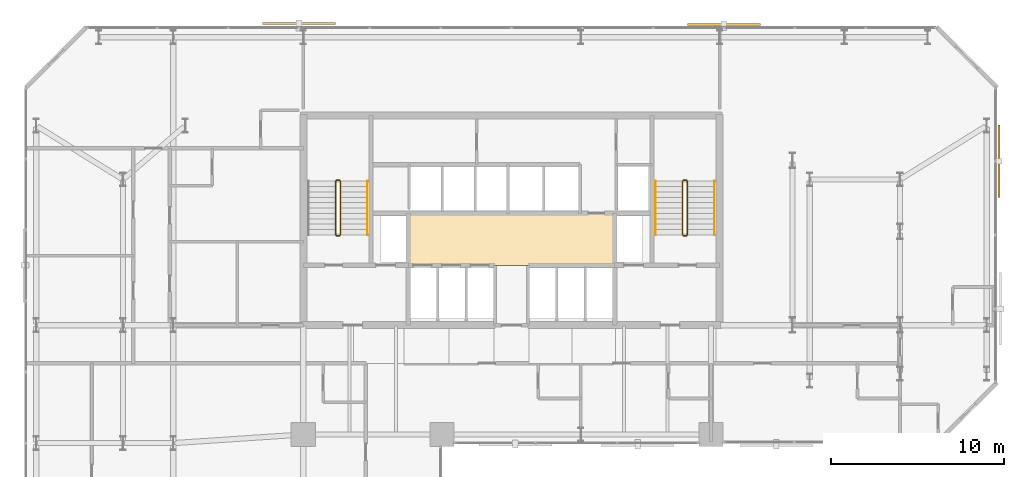
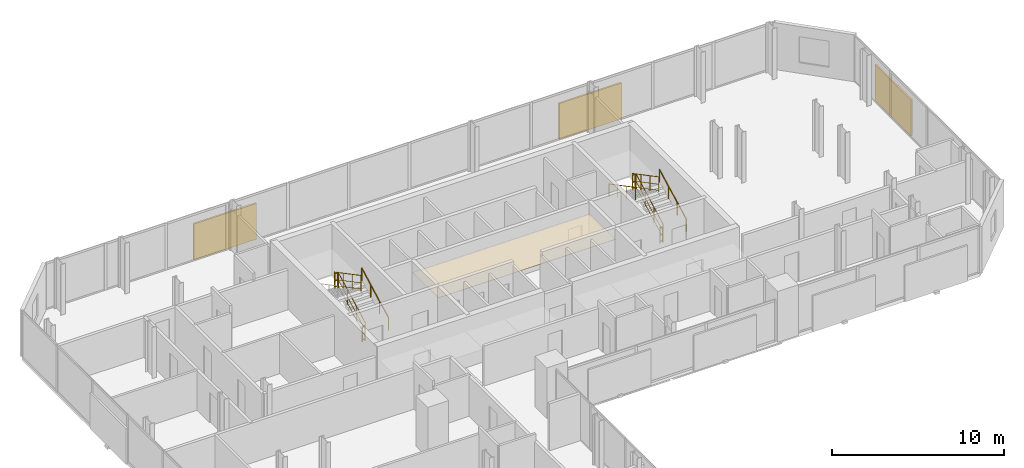
# One storey, part 33 of 33: 11 railings, 3 shading devices, 1 covering.
"""IFC4 building model written with IfcOpenShell, lengths in metres."""

from ifc_helpers import new_model, si_unit, direction, frame, origin, origin_2d, place, context, subcontext, project, spatial, polyline, rectangle, circle, outline, extrude, material, layer, layer_set, type_object, element, save


model = new_model("IFC4")

# Units and contexts
model_context = context("Model", 3, precision=1e-05, world=origin(), true_north=direction((0.0, 1.0)))
body_context = subcontext(model_context, "Body", "Model", "MODEL_VIEW")
ifc_project = project(units=[si_unit("LENGTHUNIT", "METRE"), si_unit("AREAUNIT", "SQUARE_METRE"), si_unit("VOLUMEUNIT", "CUBIC_METRE"), si_unit("PLANEANGLEUNIT", "RADIAN"), si_unit("MASSUNIT", "GRAM", prefix="KILO")], contexts=[model_context])

# Site, building, storey
site_placement = place(None, origin())
site = spatial("IfcSite", under=ifc_project, at=site_placement, CompositionType="ELEMENT")
building_placement = place(site_placement, origin())
building = spatial("IfcBuilding", under=site, at=building_placement, Name="Catumbela Crestline Tower", CompositionType="ELEMENT")
storey_placement = place(building_placement, frame((0.0, 0.0, 51.0)))
storey = spatial("IfcBuildingStorey", under=building, at=storey_placement, Name="L12", CompositionType="ELEMENT", Elevation=51.0)

# Covering
ifc_material_1 = material(Name="Mineral-fibre acoustic ceiling")
ifc_layer = layer(ifc_material_1, 0.03, Name="Mineral-fibre acoustic ceiling")
ifc_layer_set = layer_set([ifc_layer], Name="Mineral-fibre acoustic ceiling")
covering_type = type_object("IfcCoveringType", Name="CC-AC", PredefinedType="CEILING", material=ifc_layer_set)
covering_placement = place(storey_placement, frame((0.0, 0.0, 2.65)))
element("IfcCovering", 1, at=covering_placement, inside=storey, type_object=covering_type, Name="L12 Lift Lobby Acoustic Ceiling", PredefinedType="CEILING", context=body_context, shape_type="SweptSolid", body=[
    extrude(outline(polyline([(22.05, 34.25), (33.95, 34.25), (33.95, 37.25), (22.05, 37.25), (22.05, 34.25)])), origin(), (0.0, 0.0, 1.0), 0.03),
])

# Railings
ifc_material_2 = material(Name="Stainless steel EN 1.4401", Category="steel")
railing_type_1 = type_object("IfcRailingType", Name="RG-1100", PredefinedType="GUARDRAIL", material=ifc_material_2)
railing_1_placement = place(storey_placement, frame((18.14, 36.0, 0.1636)))
element("IfcRailing", 2, at=railing_1_placement, inside=storey, type_object=railing_type_1, Name="L12 ST-01 stair guard 1", PredefinedType="GUARDRAIL", context=body_context, shape_type="SweptSolid", body=[
    extrude(circle(Radius=0.024, at=origin_2d()), frame((0.0, 0.0, 1.076), z_axis=(0.0, 0.884350731049, 0.466823076222), x_axis=(-1.0, 0.0, 0.0)), (0.0, 0.0, 1.0), 3.5054),
    extrude(circle(Radius=0.0156, at=origin_2d()), frame((0.0, 0.0, 0.55), z_axis=(0.0, 0.884350731049, 0.466823076222), x_axis=(-1.0, 0.0, 0.0)), (0.0, 0.0, 1.0), 3.5054),
    extrude(circle(Radius=0.0156, at=origin_2d()), frame((0.0, 0.0, 0.12), z_axis=(0.0, 0.884350731049, 0.466823076222), x_axis=(-1.0, 0.0, 0.0)), (0.0, 0.0, 1.0), 3.5054),
    extrude(circle(Radius=0.021, at=origin_2d()), origin(), (0.0, 0.0, 1.0), 1.052),
    extrude(circle(Radius=0.021, at=origin_2d()), frame((0.0, 1.0333, 0.5455)), (0.0, 0.0, 1.0), 1.052),
    extrude(circle(Radius=0.021, at=origin_2d()), frame((0.0, 2.0667, 1.0909)), (0.0, 0.0, 1.0), 1.052),
    extrude(circle(Radius=0.021, at=origin_2d()), frame((0.0, 3.1, 1.6364)), (0.0, 0.0, 1.0), 1.052),
])
railing_2_placement = place(storey_placement, frame((18.09, 39.15, 1.8)))
element("IfcRailing", 3, at=railing_2_placement, inside=storey, type_object=railing_type_1, Name="L12 ST-01 stair guard 2", PredefinedType="GUARDRAIL", context=body_context, shape_type="SweptSolid", body=[
    extrude(circle(Radius=0.024, at=origin_2d()), frame((0.0, 0.0, 1.076), z_axis=(-1.0, 0.0, 0.0), x_axis=(0.0, -1.0, 0.0)), (0.0, 0.0, 1.0), 0.18),
    extrude(circle(Radius=0.0156, at=origin_2d()), frame((0.0, 0.0, 0.55), z_axis=(-1.0, 0.0, 0.0), x_axis=(0.0, -1.0, 0.0)), (0.0, 0.0, 1.0), 0.18),
    extrude(circle(Radius=0.0156, at=origin_2d()), frame((0.0, 0.0, 0.12), z_axis=(-1.0, 0.0, 0.0), x_axis=(0.0, -1.0, 0.0)), (0.0, 0.0, 1.0), 0.18),
    extrude(circle(Radius=0.021, at=origin_2d()), origin(), (0.0, 0.0, 1.0), 1.052),
    extrude(circle(Radius=0.021, at=origin_2d()), frame((-0.18, 0.0, 0.0)), (0.0, 0.0, 1.0), 1.052),
])
railing_3_placement = place(storey_placement, frame((17.86, 39.1, 1.9636)))
element("IfcRailing", 4, at=railing_3_placement, inside=storey, type_object=railing_type_1, Name="L12 ST-01 stair guard 3", PredefinedType="GUARDRAIL", context=body_context, shape_type="SweptSolid", body=[
    extrude(circle(Radius=0.024, at=origin_2d()), frame((0.0, 0.0, 1.076), z_axis=(0.0, -0.884350731049, 0.466823076222), x_axis=(1.0, 0.0, 0.0)), (0.0, 0.0, 1.0), 3.5054),
    extrude(circle(Radius=0.0156, at=origin_2d()), frame((0.0, 0.0, 0.55), z_axis=(0.0, -0.884350731049, 0.466823076222), x_axis=(1.0, 0.0, 0.0)), (0.0, 0.0, 1.0), 3.5054),
    extrude(circle(Radius=0.0156, at=origin_2d()), frame((0.0, 0.0, 0.12), z_axis=(0.0, -0.884350731049, 0.466823076222), x_axis=(1.0, 0.0, 0.0)), (0.0, 0.0, 1.0), 3.5054),
    extrude(circle(Radius=0.021, at=origin_2d()), origin(), (0.0, 0.0, 1.0), 1.052),
    extrude(circle(Radius=0.021, at=origin_2d()), frame((0.0, -1.0333, 0.5455)), (0.0, 0.0, 1.0), 1.052),
    extrude(circle(Radius=0.021, at=origin_2d()), frame((0.0, -2.0667, 1.0909)), (0.0, 0.0, 1.0), 1.052),
    extrude(circle(Radius=0.021, at=origin_2d()), frame((0.0, -3.1, 1.6364)), (0.0, 0.0, 1.0), 1.052),
])
railing_4_placement = place(storey_placement, frame((18.09, 35.95, 0.0)))
element("IfcRailing", 5, at=railing_4_placement, inside=storey, type_object=railing_type_1, Name="L12 ST-01 stair guard 4", PredefinedType="GUARDRAIL", context=body_context, shape_type="SweptSolid", body=[
    extrude(circle(Radius=0.024, at=origin_2d()), frame((0.0, 0.0, 1.076), z_axis=(-1.0, 0.0, 0.0), x_axis=(0.0, -1.0, 0.0)), (0.0, 0.0, 1.0), 0.18),
    extrude(circle(Radius=0.0156, at=origin_2d()), frame((0.0, 0.0, 0.55), z_axis=(-1.0, 0.0, 0.0), x_axis=(0.0, -1.0, 0.0)), (0.0, 0.0, 1.0), 0.18),
    extrude(circle(Radius=0.0156, at=origin_2d()), frame((0.0, 0.0, 0.12), z_axis=(-1.0, 0.0, 0.0), x_axis=(0.0, -1.0, 0.0)), (0.0, 0.0, 1.0), 0.18),
    extrude(circle(Radius=0.021, at=origin_2d()), origin(), (0.0, 0.0, 1.0), 1.052),
    extrude(circle(Radius=0.021, at=origin_2d()), frame((-0.18, 0.0, 0.0)), (0.0, 0.0, 1.0), 1.052),
])
railing_5_placement = place(storey_placement, frame((38.14, 36.0, 0.1636)))
element("IfcRailing", 6, at=railing_5_placement, inside=storey, type_object=railing_type_1, Name="L12 ST-02 stair guard 1", PredefinedType="GUARDRAIL", context=body_context, shape_type="SweptSolid", body=[
    extrude(circle(Radius=0.024, at=origin_2d()), frame((0.0, 0.0, 1.076), z_axis=(0.0, 0.884350731049, 0.466823076222), x_axis=(-1.0, 0.0, 0.0)), (0.0, 0.0, 1.0), 3.5054),
    extrude(circle(Radius=0.0156, at=origin_2d()), frame((0.0, 0.0, 0.55), z_axis=(0.0, 0.884350731049, 0.466823076222), x_axis=(-1.0, 0.0, 0.0)), (0.0, 0.0, 1.0), 3.5054),
    extrude(circle(Radius=0.0156, at=origin_2d()), frame((0.0, 0.0, 0.12), z_axis=(0.0, 0.884350731049, 0.466823076222), x_axis=(-1.0, 0.0, 0.0)), (0.0, 0.0, 1.0), 3.5054),
    extrude(circle(Radius=0.021, at=origin_2d()), origin(), (0.0, 0.0, 1.0), 1.052),
    extrude(circle(Radius=0.021, at=origin_2d()), frame((0.0, 1.0333, 0.5455)), (0.0, 0.0, 1.0), 1.052),
    extrude(circle(Radius=0.021, at=origin_2d()), frame((0.0, 2.0667, 1.0909)), (0.0, 0.0, 1.0), 1.052),
    extrude(circle(Radius=0.021, at=origin_2d()), frame((0.0, 3.1, 1.6364)), (0.0, 0.0, 1.0), 1.052),
])
railing_6_placement = place(storey_placement, frame((38.09, 39.15, 1.8)))
element("IfcRailing", 7, at=railing_6_placement, inside=storey, type_object=railing_type_1, Name="L12 ST-02 stair guard 2", PredefinedType="GUARDRAIL", context=body_context, shape_type="SweptSolid", body=[
    extrude(circle(Radius=0.024, at=origin_2d()), frame((0.0, 0.0, 1.076), z_axis=(-1.0, 0.0, 0.0), x_axis=(0.0, -1.0, 0.0)), (0.0, 0.0, 1.0), 0.18),
    extrude(circle(Radius=0.0156, at=origin_2d()), frame((0.0, 0.0, 0.55), z_axis=(-1.0, 0.0, 0.0), x_axis=(0.0, -1.0, 0.0)), (0.0, 0.0, 1.0), 0.18),
    extrude(circle(Radius=0.0156, at=origin_2d()), frame((0.0, 0.0, 0.12), z_axis=(-1.0, 0.0, 0.0), x_axis=(0.0, -1.0, 0.0)), (0.0, 0.0, 1.0), 0.18),
    extrude(circle(Radius=0.021, at=origin_2d()), origin(), (0.0, 0.0, 1.0), 1.052),
    extrude(circle(Radius=0.021, at=origin_2d()), frame((-0.18, 0.0, 0.0)), (0.0, 0.0, 1.0), 1.052),
])
railing_7_placement = place(storey_placement, frame((37.86, 39.1, 1.9636)))
element("IfcRailing", 8, at=railing_7_placement, inside=storey, type_object=railing_type_1, Name="L12 ST-02 stair guard 3", PredefinedType="GUARDRAIL", context=body_context, shape_type="SweptSolid", body=[
    extrude(circle(Radius=0.024, at=origin_2d()), frame((0.0, 0.0, 1.076), z_axis=(0.0, -0.884350731049, 0.466823076222), x_axis=(1.0, 0.0, 0.0)), (0.0, 0.0, 1.0), 3.5054),
    extrude(circle(Radius=0.0156, at=origin_2d()), frame((0.0, 0.0, 0.55), z_axis=(0.0, -0.884350731049, 0.466823076222), x_axis=(1.0, 0.0, 0.0)), (0.0, 0.0, 1.0), 3.5054),
    extrude(circle(Radius=0.0156, at=origin_2d()), frame((0.0, 0.0, 0.12), z_axis=(0.0, -0.884350731049, 0.466823076222), x_axis=(1.0, 0.0, 0.0)), (0.0, 0.0, 1.0), 3.5054),
    extrude(circle(Radius=0.021, at=origin_2d()), origin(), (0.0, 0.0, 1.0), 1.052),
    extrude(circle(Radius=0.021, at=origin_2d()), frame((0.0, -1.0333, 0.5455)), (0.0, 0.0, 1.0), 1.052),
    extrude(circle(Radius=0.021, at=origin_2d()), frame((0.0, -2.0667, 1.0909)), (0.0, 0.0, 1.0), 1.052),
    extrude(circle(Radius=0.021, at=origin_2d()), frame((0.0, -3.1, 1.6364)), (0.0, 0.0, 1.0), 1.052),
])
railing_8_placement = place(storey_placement, frame((38.09, 35.95, 0.0)))
element("IfcRailing", 9, at=railing_8_placement, inside=storey, type_object=railing_type_1, Name="L12 ST-02 stair guard 4", PredefinedType="GUARDRAIL", context=body_context, shape_type="SweptSolid", body=[
    extrude(circle(Radius=0.024, at=origin_2d()), frame((0.0, 0.0, 1.076), z_axis=(-1.0, 0.0, 0.0), x_axis=(0.0, -1.0, 0.0)), (0.0, 0.0, 1.0), 0.18),
    extrude(circle(Radius=0.0156, at=origin_2d()), frame((0.0, 0.0, 0.55), z_axis=(-1.0, 0.0, 0.0), x_axis=(0.0, -1.0, 0.0)), (0.0, 0.0, 1.0), 0.18),
    extrude(circle(Radius=0.0156, at=origin_2d()), frame((0.0, 0.0, 0.12), z_axis=(-1.0, 0.0, 0.0), x_axis=(0.0, -1.0, 0.0)), (0.0, 0.0, 1.0), 0.18),
    extrude(circle(Radius=0.021, at=origin_2d()), origin(), (0.0, 0.0, 1.0), 1.052),
    extrude(circle(Radius=0.021, at=origin_2d()), frame((-0.18, 0.0, 0.0)), (0.0, 0.0, 1.0), 1.052),
])
railing_type_2 = type_object("IfcRailingType", Name="RH-0900", PredefinedType="HANDRAIL", material=ifc_material_2)
for number, where, name in (
    (10, (19.7, 36.0, 0.1636), "L12 ST-01 stair handrail 1"),
    (11, (39.7, 36.0, 0.1636), "L12 ST-02 stair handrail 1"),
):
    element("IfcRailing", number, at=place(storey_placement, frame(where)), inside=storey, type_object=railing_type_2, Name=name, PredefinedType="HANDRAIL", context=body_context, shape_type="SweptSolid", body=[
        extrude(circle(Radius=0.024, at=origin_2d()), frame((0.0, 0.0, 0.876), z_axis=(0.0, 0.884350731049, 0.466823076222), x_axis=(-1.0, 0.0, 0.0)), (0.0, 0.0, 1.0), 3.5054),
        extrude(circle(Radius=0.021, at=origin_2d()), origin(), (0.0, 0.0, 1.0), 0.852),
        extrude(circle(Radius=0.021, at=origin_2d()), frame((0.0, 1.0333, 0.5455)), (0.0, 0.0, 1.0), 0.852),
        extrude(circle(Radius=0.021, at=origin_2d()), frame((0.0, 2.0667, 1.0909)), (0.0, 0.0, 1.0), 0.852),
        extrude(circle(Radius=0.021, at=origin_2d()), frame((0.0, 3.1, 1.6364)), (0.0, 0.0, 1.0), 0.852),
    ])
railing_9_placement = place(storey_placement, frame((36.3, 39.1, 1.9636)))
element("IfcRailing", 12, at=railing_9_placement, inside=storey, type_object=railing_type_2, Name="L12 ST-02 stair handrail 2", PredefinedType="HANDRAIL", context=body_context, shape_type="SweptSolid", body=[
    extrude(circle(Radius=0.024, at=origin_2d()), frame((0.0, 0.0, 0.876), z_axis=(0.0, -0.884350731049, 0.466823076222), x_axis=(1.0, 0.0, 0.0)), (0.0, 0.0, 1.0), 3.5054),
    extrude(circle(Radius=0.021, at=origin_2d()), origin(), (0.0, 0.0, 1.0), 0.852),
    extrude(circle(Radius=0.021, at=origin_2d()), frame((0.0, -1.0333, 0.5455)), (0.0, 0.0, 1.0), 0.852),
    extrude(circle(Radius=0.021, at=origin_2d()), frame((0.0, -2.0667, 1.0909)), (0.0, 0.0, 1.0), 0.852),
    extrude(circle(Radius=0.021, at=origin_2d()), frame((0.0, -3.1, 1.6364)), (0.0, 0.0, 1.0), 0.852),
])

# Shading devices
ifc_material_3 = material(Name="Extruded terracotta ceramic", Category="masonry")
shading_device_type_1 = type_object("IfcShadingDeviceType", Name="ST-180", PredefinedType="USERDEFINED", material=ifc_material_3)
shading_device_1_placement = place(storey_placement, frame((56.099, 40.25, -0.1), z_axis=(0.0, 0.0, 1.0), x_axis=(0.0, 1.0, 0.0)))
element("IfcShadingDevice", 13, at=shading_device_1_placement, inside=storey, type_object=shading_device_type_1, Name="L12 Perforated Terracotta Solar Screen 108 (180 mm)", ObjectType="SCREEN", PredefinedType="USERDEFINED", context=body_context, shape_type="SweptSolid", body=[
    extrude(rectangle(XDim=4.2, YDim=0.12, at=origin_2d()), origin(), (0.0, 0.0, 1.0), 2.55),
])
shading_device_type_2 = type_object("IfcShadingDeviceType", Name="ST-260", PredefinedType="USERDEFINED", material=ifc_material_3)
shading_device_2_placement = place(storey_placement, frame((40.25, 48.143, -0.1), z_axis=(0.0, 0.0, 1.0), x_axis=(-1.0, 0.0, 0.0)))
element("IfcShadingDevice", 14, at=shading_device_2_placement, inside=storey, type_object=shading_device_type_2, Name="L12 Perforated Terracotta Solar Screen 109 (260 mm)", ObjectType="SCREEN", PredefinedType="USERDEFINED", context=body_context, shape_type="SweptSolid", body=[
    extrude(rectangle(XDim=4.2, YDim=0.12, at=origin_2d()), origin(), (0.0, 0.0, 1.0), 2.55),
])
shading_device_type_3 = type_object("IfcShadingDeviceType", Name="ST-340", PredefinedType="USERDEFINED", material=ifc_material_3)
shading_device_3_placement = place(storey_placement, frame((15.75, 48.187, -0.1), z_axis=(0.0, 0.0, 1.0), x_axis=(-1.0, 0.0, 0.0)))
element("IfcShadingDevice", 15, at=shading_device_3_placement, inside=storey, type_object=shading_device_type_3, Name="L12 Perforated Terracotta Solar Screen 110 (340 mm)", ObjectType="SCREEN", PredefinedType="USERDEFINED", context=body_context, shape_type="SweptSolid", body=[
    extrude(rectangle(XDim=4.2, YDim=0.12, at=origin_2d()), origin(), (0.0, 0.0, 1.0), 2.55),
])

save(model, "model.ifc")
